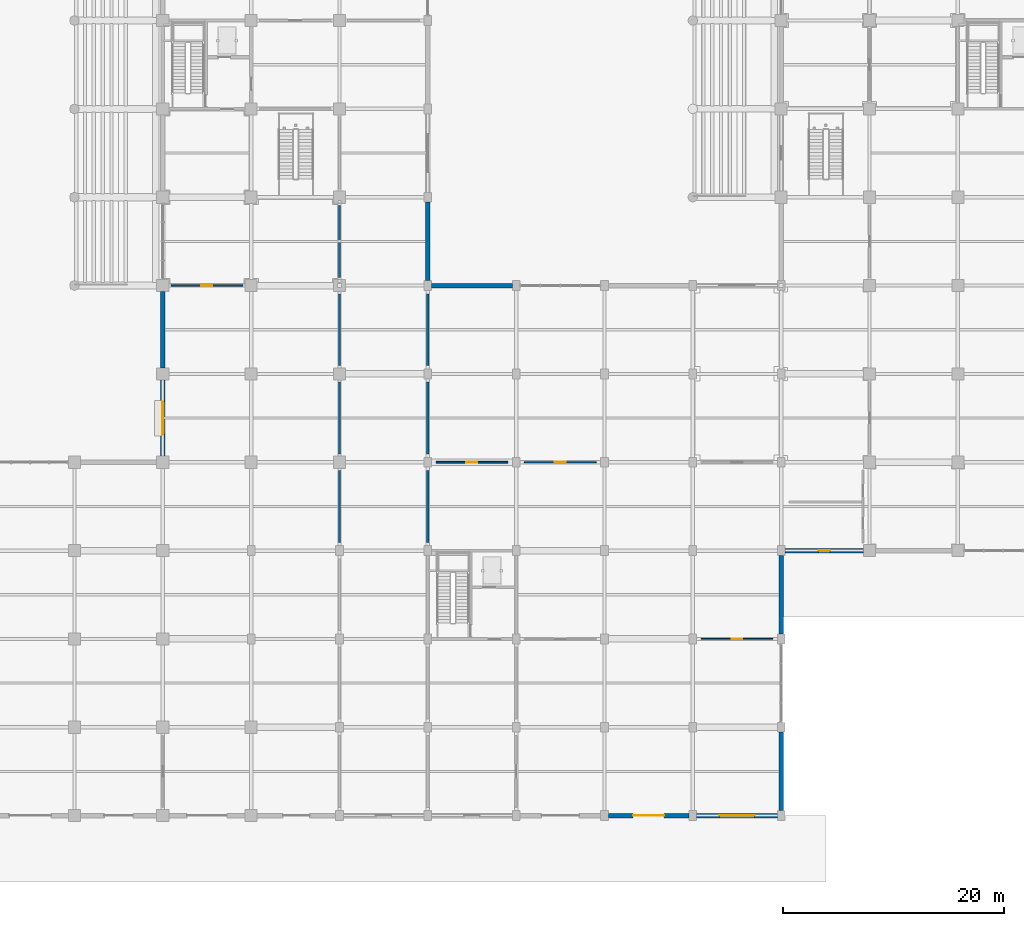
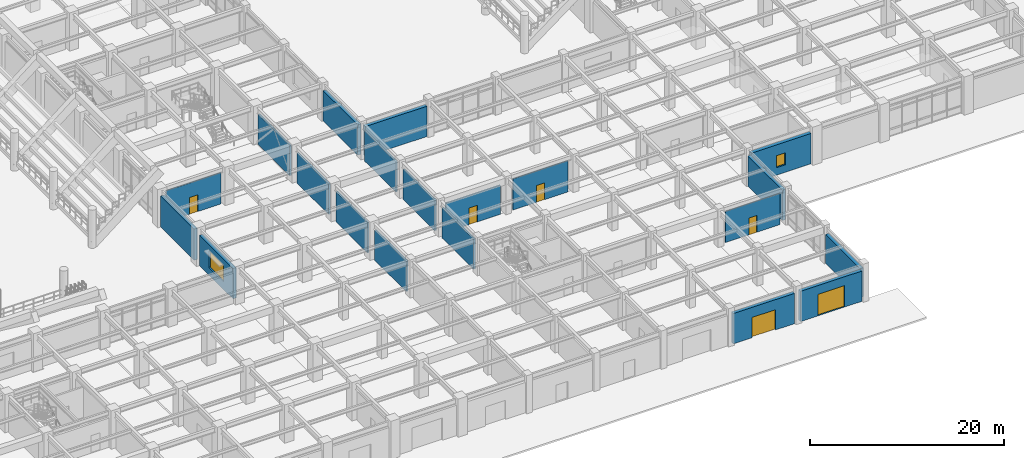
# One storey, part 82 of 125: 20 walls, 6 doors, 2 windows, 8 openings.
"""IFC4 building model written with IfcOpenShell, lengths in metres."""

from ifc_helpers import new_model, si_unit, direction, frame, frame_2d, origin, place, context, subcontext, project, spatial, rectangle, extrude, material, layer, layer_set, type_object, element, fill, save


model = new_model("IFC4")

# Units and contexts
model_context = context("Model", 3, precision=1e-05, world=origin(), true_north=direction((0.0, 1.0)))
body_context = subcontext(model_context, "Body", "Model", "MODEL_VIEW")
ifc_project = project(units=[si_unit("LENGTHUNIT", "METRE"), si_unit("AREAUNIT", "SQUARE_METRE"), si_unit("VOLUMEUNIT", "CUBIC_METRE"), si_unit("PLANEANGLEUNIT", "RADIAN"), si_unit("MASSUNIT", "GRAM", prefix="KILO")], contexts=[model_context])

# Site, building, storey
site_placement = place(None, origin())
site = spatial("IfcSite", under=ifc_project, at=site_placement, CompositionType="ELEMENT")
building_placement = place(site_placement, origin())
building = spatial("IfcBuilding", under=site, at=building_placement, Name="Haebicheon Civic Stadium", CompositionType="ELEMENT")
storey_placement = place(building_placement, origin())
storey = spatial("IfcBuildingStorey", under=building, at=storey_placement, Name="L01", CompositionType="ELEMENT", Elevation=0.0)

# Wall, opening, window
ifc_material_1 = material(Name="Concrete C40/50", Category="concrete")
ifc_layer_1 = layer(ifc_material_1, 0.39990234375, Name="Concrete C40/50")
ifc_layer_set_1 = layer_set([ifc_layer_1], Name="Concrete C40/50")
wall_type_1 = type_object("IfcWallType", Name="EW-BM-400", PredefinedType="SOLIDWALL", material=ifc_layer_set_1)
wall_1_placement = place(storey_placement, frame((144.0, 32.550048828125, 0.0), z_axis=(0.0, 0.0, 1.0), x_axis=(0.0, 1.0, 0.0)))
wall_1 = element("IfcWall", 1, at=wall_1_placement, inside=storey, type_object=wall_type_1, material=ifc_layer_set_1, Name="L01 board-marked concrete facade wall 18-04-W", PredefinedType="SOLIDWALL", context=body_context, shape_type="SweptSolid", body=[
    extrude(rectangle(XDim=6.89990234375, YDim=0.39990234375, at=frame_2d((3.449951171875, 0.0))), origin(), (0.0, 0.0, 1.0), 3.81005859375),
])
opening_1_placement = place(wall_1_placement, frame((1.949951171875, 0.0, 0.949951171875)))
opening_1 = element("IfcOpeningElement", 2, at=opening_1_placement, cuts=wall_1, Name="Opening WIN-300x210", PredefinedType="OPENING", context=body_context, shape_type="SweptSolid", body=[
    extrude(rectangle(XDim=3.0, YDim=2.10009765625, at=frame_2d((1.5, 1.050048828125))), frame((0.0, 0.2099609375, 0.0), z_axis=(0.0, -1.0, 0.0), x_axis=(1.0, 0.0, 0.0)), (0.0, 0.0, 1.0), 0.419921875),
])
ifc_material_2 = material(Name="Anodised aluminium and laminated glass", Category="aluminium")
window_type_1 = type_object("IfcWindowType", Name="WIN-300x210", PartitioningType="SINGLE_PANEL", PredefinedType="WINDOW", material=ifc_material_2)
window_1_placement = place(opening_1_placement, origin())
window_1 = element("IfcWindow", 3, at=window_1_placement, inside=storey, type_object=window_type_1, material=ifc_material_2, Name="L01 facade window 015", OverallHeight=2.10009765625, OverallWidth=3.0, PartitioningType="SINGLE_PANEL", PredefinedType="WINDOW", context=body_context, shape_type="SweptSolid", body=[
    extrude(rectangle(XDim=3.0, YDim=2.10009765625, at=frame_2d((1.5, 1.050048828125))), frame((0.0, 0.030029296875, 0.0), z_axis=(0.0, -1.0, 0.0), x_axis=(1.0, 0.0, 0.0)), (0.0, 0.0, 1.0), 0.06005859375),
])
fill(opening_1, window_1)

# Walls
wall_2_placement = place(storey_placement, frame((144.0, 40.550048828125, 0.0), z_axis=(0.0, 0.0, 1.0), x_axis=(0.0, 1.0, 0.0)))
element("IfcWall", 4, at=wall_2_placement, inside=storey, type_object=wall_type_1, material=ifc_layer_set_1, Name="L01 board-marked concrete facade wall 18-05-W", PredefinedType="SOLIDWALL", context=body_context, shape_type="SweptSolid", body=[
    extrude(rectangle(XDim=6.89990234375, YDim=0.39990234375, at=frame_2d((3.449951171875, 0.0))), origin(), (0.0, 0.0, 1.0), 3.909912109375),
])
wall_3_placement = place(storey_placement, frame((168.0, 48.449951171875, 0.0), z_axis=(0.0, 0.0, 1.0), x_axis=(0.0, 1.0, 0.0)))
element("IfcWall", 5, at=wall_3_placement, inside=storey, type_object=wall_type_1, material=ifc_layer_set_1, Name="L01 board-marked concrete facade wall 21-06-E", PredefinedType="SOLIDWALL", context=body_context, shape_type="SweptSolid", body=[
    extrude(rectangle(XDim=7.10009765625, YDim=0.39990234375, at=frame_2d((3.550048828125, 0.0))), origin(), (0.0, 0.0, 1.0), 3.81005859375),
])
wall_4_placement = place(storey_placement, frame((168.35009765625, 48.0, 0.0), z_axis=(0.0, 0.0, 1.0), x_axis=(1.0, 0.0, 0.0)))
element("IfcWall", 6, at=wall_4_placement, inside=storey, type_object=wall_type_1, material=ifc_layer_set_1, Name="L01 board-marked concrete facade wall 21-06-N", PredefinedType="SOLIDWALL", context=body_context, shape_type="SweptSolid", body=[
    extrude(rectangle(XDim=7.2998046875, YDim=0.39990234375, at=frame_2d((3.64990234375, 0.0))), origin(), (0.0, 0.0, 1.0), 3.81005859375),
])

# Wall, opening, door
wall_5_placement = place(storey_placement, frame((184.35009765625, 0.0, 0.0), z_axis=(0.0, 0.0, 1.0), x_axis=(1.0, 0.0, 0.0)))
wall_5 = element("IfcWall", 7, at=wall_5_placement, inside=storey, type_object=wall_type_1, material=ifc_layer_set_1, Name="L01 board-marked concrete facade wall 23-00-S", PredefinedType="SOLIDWALL", context=body_context, shape_type="SweptSolid", body=[
    extrude(rectangle(XDim=7.2998046875, YDim=0.39990234375, at=frame_2d((3.64990234375, 0.0))), origin(), (0.0, 0.0, 1.0), 3.81005859375),
])
opening_2_placement = place(wall_5_placement, frame((2.25, 0.0, 0.0)))
opening_2 = element("IfcOpeningElement", 8, at=opening_2_placement, cuts=wall_5, Name="Opening G12", PredefinedType="OPENING", context=body_context, shape_type="SweptSolid", body=[
    extrude(rectangle(XDim=2.800048828125, YDim=2.550048828125, at=frame_2d((1.39990234375, 1.27490234375))), frame((0.0, 0.2099609375, 0.0), z_axis=(0.0, -1.0, 0.0), x_axis=(1.0, 0.0, 0.0)), (0.0, 0.0, 1.0), 0.419921875),
])
ifc_material_3 = material(Name="Anodised aluminium 6063-T6", Category="aluminium")
door_type_1 = type_object("IfcDoorType", Name="ED-GATE-2800", OperationType="NOTDEFINED", PredefinedType="DOOR", material=ifc_material_3)
door_1_placement = place(opening_2_placement, origin())
door_1 = element("IfcDoor", 9, at=door_1_placement, inside=storey, type_object=door_type_1, material=ifc_material_3, Name="Pedestrian exit gate G12", OperationType="DOUBLE_SWING_LEFT", OverallHeight=2.550048828125, OverallWidth=2.800048828125, PredefinedType="DOOR", context=body_context, shape_type="SweptSolid", body=[
    extrude(rectangle(XDim=2.800048828125, YDim=2.550048828125, at=frame_2d((1.39990234375, 1.27490234375))), frame((0.0, 0.02490234375, 0.0), z_axis=(0.0, -1.0, 0.0), x_axis=(1.0, 0.0, 0.0)), (0.0, 0.0, 1.0), 0.050048828125),
])
fill(opening_2, door_1)

wall_6_placement = place(storey_placement, frame((192.35009765625, 0.0, 0.0), z_axis=(0.0, 0.0, 1.0), x_axis=(1.0, 0.0, 0.0)))
wall_6 = element("IfcWall", 10, at=wall_6_placement, inside=storey, type_object=wall_type_1, material=ifc_layer_set_1, Name="L01 board-marked concrete facade wall 24-00-S", PredefinedType="SOLIDWALL", context=body_context, shape_type="SweptSolid", body=[
    extrude(rectangle(XDim=7.2998046875, YDim=0.39990234375, at=frame_2d((3.64990234375, 0.0))), origin(), (0.0, 0.0, 1.0), 3.81005859375),
])
opening_3_placement = place(wall_6_placement, frame((2.050048828125, 0.0, 0.0)))
opening_3 = element("IfcOpeningElement", 11, at=opening_3_placement, cuts=wall_6, Name="Opening E11", PredefinedType="OPENING", context=body_context, shape_type="SweptSolid", body=[
    extrude(rectangle(XDim=3.199951171875, YDim=2.699951171875, at=frame_2d((1.60009765625, 1.35009765625))), frame((0.0, 0.2099609375, 0.0), z_axis=(0.0, -1.0, 0.0), x_axis=(1.0, 0.0, 0.0)), (0.0, 0.0, 1.0), 0.419921875),
])
ifc_material_4 = material(Name="Anodised aluminium and laminated glass", Category="aluminium")
door_type_2 = type_object("IfcDoorType", Name="ED-MAIN-3200", OperationType="NOTDEFINED", PredefinedType="DOOR", material=ifc_material_4)
door_2_placement = place(opening_3_placement, origin())
door_2 = element("IfcDoor", 12, at=door_2_placement, inside=storey, type_object=door_type_2, material=ifc_material_4, Name="Main entrance E11", OperationType="DOUBLE_SWING_LEFT", OverallHeight=2.699951171875, OverallWidth=3.199951171875, PredefinedType="DOOR", context=body_context, shape_type="SweptSolid", body=[
    extrude(rectangle(XDim=3.199951171875, YDim=2.699951171875, at=frame_2d((1.60009765625, 1.35009765625))), frame((0.0, 0.02490234375, 0.0), z_axis=(0.0, -1.0, 0.0), x_axis=(1.0, 0.0, 0.0)), (0.0, 0.0, 1.0), 0.050048828125),
])
fill(opening_3, door_2)

# Walls
wall_7_placement = place(storey_placement, frame((200.0, 0.449951171875, 0.0), z_axis=(0.0, 0.0, 1.0), x_axis=(0.0, 1.0, 0.0)))
element("IfcWall", 13, at=wall_7_placement, inside=storey, type_object=wall_type_1, material=ifc_layer_set_1, Name="L01 board-marked concrete facade wall 25-00-E", PredefinedType="SOLIDWALL", context=body_context, shape_type="SweptSolid", body=[
    extrude(rectangle(XDim=7.10009765625, YDim=0.39990234375, at=frame_2d((3.550048828125, 0.0))), origin(), (0.0, 0.0, 1.0), 3.659912109375),
])
wall_8_placement = place(storey_placement, frame((200.0, 16.449951171875, 0.0), z_axis=(0.0, 0.0, 1.0), x_axis=(0.0, 1.0, 0.0)))
element("IfcWall", 14, at=wall_8_placement, inside=storey, type_object=wall_type_1, material=ifc_layer_set_1, Name="L01 board-marked concrete facade wall 25-02-E", PredefinedType="SOLIDWALL", context=body_context, shape_type="SweptSolid", body=[
    extrude(rectangle(XDim=7.10009765625, YDim=0.39990234375, at=frame_2d((3.550048828125, 0.0))), origin(), (0.0, 0.0, 1.0), 3.81005859375),
])

# Wall, opening, window
wall_9_placement = place(storey_placement, frame((200.35009765625, 24.0, 0.0), z_axis=(0.0, 0.0, 1.0), x_axis=(1.0, 0.0, 0.0)))
wall_9 = element("IfcWall", 15, at=wall_9_placement, inside=storey, type_object=wall_type_1, material=ifc_layer_set_1, Name="L01 board-marked concrete facade wall 25-03-S", PredefinedType="SOLIDWALL", context=body_context, shape_type="SweptSolid", body=[
    extrude(rectangle(XDim=7.099853515625, YDim=0.39990234375, at=frame_2d((3.5498046875, 0.0))), origin(), (0.0, 0.0, 1.0), 3.81005859375),
])
opening_4_placement = place(wall_9_placement, frame((3.02490234375, 0.0, 0.949951171875)))
opening_4 = element("IfcOpeningElement", 16, at=opening_4_placement, cuts=wall_9, Name="Opening WIN-105x150", PredefinedType="OPENING", context=body_context, shape_type="SweptSolid", body=[
    extrude(rectangle(XDim=1.050048828125, YDim=1.5, at=frame_2d((0.52490234375, 0.75))), frame((0.0, 0.2099609375, 0.0), z_axis=(0.0, -1.0, 0.0), x_axis=(1.0, 0.0, 0.0)), (0.0, 0.0, 1.0), 0.419921875),
])
ifc_material_5 = material(Name="Anodised aluminium and laminated glass", Category="aluminium")
window_type_2 = type_object("IfcWindowType", Name="WIN-105x150", PartitioningType="SINGLE_PANEL", PredefinedType="WINDOW", material=ifc_material_5)
window_2_placement = place(opening_4_placement, origin())
window_2 = element("IfcWindow", 17, at=window_2_placement, inside=storey, type_object=window_type_2, material=ifc_material_5, Name="L01 facade window 024", OverallHeight=1.5, OverallWidth=1.050048828125, PartitioningType="SINGLE_PANEL", PredefinedType="WINDOW", context=body_context, shape_type="SweptSolid", body=[
    extrude(rectangle(XDim=1.050048828125, YDim=1.5, at=frame_2d((0.52490234375, 0.75))), frame((0.0, 0.030029296875, 0.0), z_axis=(0.0, -1.0, 0.0), x_axis=(1.0, 0.0, 0.0)), (0.0, 0.0, 1.0), 0.06005859375),
])
fill(opening_4, window_2)

# Walls
ifc_material_6 = material(Name="Concrete C35/45", Category="concrete")
ifc_layer_2 = layer(ifc_material_6, 0.199951171875, Name="Concrete C35/45")
ifc_layer_set_2 = layer_set([ifc_layer_2], Name="Concrete C35/45")
wall_type_2 = type_object("IfcWallType", Name="IW-FIR-200", PredefinedType="PARTITIONING", material=ifc_layer_set_2)
for number, where, z_axis, x_axis, name in (
    (18, (160.0, 48.75, 0.0), (0.0, 0.0, 1.0), (0.0, 1.0, 0.0), "L01 braced-frame solid fire wall 20-06"),
    (19, (160.0, 24.75, 0.0), (0.0, 0.0, 1.0), (0.0, 1.0, 0.0), "L01 KC-10 protected exit passage EI 120 wall 08"),
    (20, (168.0, 24.75, 0.0), (0.0, 0.0, 1.0), (0.0, 1.0, 0.0), "L01 KC-10 protected exit passage EI 120 wall 09"),
    (21, (160.0, 32.75, 0.0), (0.0, 0.0, 1.0), (0.0, 1.0, 0.0), "L01 KC-10 protected exit passage EI 120 wall 10"),
    (22, (168.0, 32.75, 0.0), (0.0, 0.0, 1.0), (0.0, 1.0, 0.0), "L01 KC-10 protected exit passage EI 120 wall 11"),
    (23, (160.0, 40.75, 0.0), (0.0, 0.0, 1.0), (0.0, 1.0, 0.0), "L01 KC-10 protected exit passage EI 120 wall 12"),
    (24, (168.0, 40.75, 0.0), (0.0, 0.0, 1.0), (0.0, 1.0, 0.0), "L01 KC-10 protected exit passage EI 120 wall 13"),
):
    element("IfcWall", number, at=place(storey_placement, frame(where, z_axis=z_axis, x_axis=x_axis)), inside=storey, type_object=wall_type_2, material=ifc_layer_set_2, Name=name, PredefinedType="PARTITIONING", context=body_context, shape_type="SweptSolid", body=[
        extrude(rectangle(XDim=6.5, YDim=0.199951171875, at=frame_2d((3.25, 0.0))), origin(), (0.0, 0.0, 1.0), 3.81005859375),
    ])

# Wall, opening, door
ifc_material_7 = material(Name="Anodised aluminium acoustic panel", Category="aluminium")
ifc_layer_3 = layer(ifc_material_7, 0.139892578125, Name="Anodised aluminium acoustic panel")
ifc_layer_set_3 = layer_set([ifc_layer_3], Name="Anodised aluminium acoustic panel")
wall_type_3 = type_object("IfcWallType", Name="IW-MOV-140", PredefinedType="MOVABLE", material=ifc_layer_set_3)
wall_10_placement = place(storey_placement, frame((168.75, 32.0, 0.0), z_axis=(0.0, 0.0, 1.0), x_axis=(1.0, 0.0, 0.0)))
wall_10 = element("IfcWall", 25, at=wall_10_placement, inside=storey, type_object=wall_type_3, material=ifc_layer_set_3, Name="L01 Civic Sports Exhibition Gallery partition wall", PredefinedType="MOVABLE", context=body_context, shape_type="SweptSolid", body=[
    extrude(rectangle(XDim=6.5, YDim=0.139892578125, at=frame_2d((3.25, 0.0))), origin(), (0.0, 0.0, 1.0), 3.659912109375),
])
opening_5_placement = place(wall_10_placement, frame((2.75, 0.0, 0.0)))
opening_5 = element("IfcOpeningElement", 26, at=opening_5_placement, cuts=wall_10, Name="Opening D-L01-154", PredefinedType="OPENING", context=body_context, shape_type="SweptSolid", body=[
    extrude(rectangle(XDim=1.0, YDim=2.10009765625, at=frame_2d((0.5, 1.050048828125))), frame((0.0, 0.079833984375, 0.0), z_axis=(0.0, -1.0, 0.0), x_axis=(1.0, 0.0, 0.0)), (0.0, 0.0, 1.0), 0.159912109375),
])
ifc_material_8 = material(Name="Engineered hardwood timber", Category="wood")
door_type_3 = type_object("IfcDoorType", Name="ID-RM-1000", OperationType="NOTDEFINED", PredefinedType="DOOR", material=ifc_material_8)
door_3_placement = place(opening_5_placement, origin())
door_3 = element("IfcDoor", 27, at=door_3_placement, inside=storey, type_object=door_type_3, material=ifc_material_8, Name="L01 Civic Sports Exhibition Gallery entrance door D-L01-154", OperationType="SINGLE_SWING_LEFT", OverallHeight=2.10009765625, OverallWidth=1.0, PredefinedType="DOOR", context=body_context, shape_type="SweptSolid", body=[
    extrude(rectangle(XDim=1.0, YDim=2.10009765625, at=frame_2d((0.5, 1.050048828125))), frame((0.0, 0.02490234375, 0.0), z_axis=(0.0, -1.0, 0.0), x_axis=(1.0, 0.0, 0.0)), (0.0, 0.0, 1.0), 0.050048828125),
])
fill(opening_5, door_3)

ifc_material_9 = material(Name="Anodised aluminium and laminated glass", Category="aluminium")
ifc_layer_4 = layer(ifc_material_9, 0.10009765625, Name="Anodised aluminium and laminated glass")
ifc_layer_set_4 = layer_set([ifc_layer_4], Name="Anodised aluminium and laminated glass")
wall_type_4 = type_object("IfcWallType", Name="IW-PRT-100", PredefinedType="PARTITIONING", material=ifc_layer_set_4)
wall_11_placement = place(storey_placement, frame((192.75, 16.0, 0.0), z_axis=(0.0, 0.0, 1.0), x_axis=(1.0, 0.0, 0.0)))
wall_11 = element("IfcWall", 28, at=wall_11_placement, inside=storey, type_object=wall_type_4, material=ifc_layer_set_4, Name="L01 Hospitality Welcome Lounge partition wall", PredefinedType="PARTITIONING", context=body_context, shape_type="SweptSolid", body=[
    extrude(rectangle(XDim=6.5, YDim=0.10009765625, at=frame_2d((3.25, 0.0))), origin(), (0.0, 0.0, 1.0), 3.909912109375),
])
opening_6_placement = place(wall_11_placement, frame((2.77490234375, 0.0, 0.0)))
opening_6 = element("IfcOpeningElement", 29, at=opening_6_placement, cuts=wall_11, Name="Opening D-L01-163", PredefinedType="OPENING", context=body_context, shape_type="SweptSolid", body=[
    extrude(rectangle(XDim=0.949951171875, YDim=2.10009765625, at=frame_2d((0.47509765625, 1.050048828125))), frame((0.0, 0.06005859375, 0.0), z_axis=(0.0, -1.0, 0.0), x_axis=(1.0, 0.0, 0.0)), (0.0, 0.0, 1.0), 0.1201171875),
])
ifc_material_10 = material(Name="Engineered hardwood timber", Category="wood")
door_type_4 = type_object("IfcDoorType", Name="ID-RM-0950", OperationType="NOTDEFINED", PredefinedType="DOOR", material=ifc_material_10)
door_4_placement = place(opening_6_placement, origin())
door_4 = element("IfcDoor", 30, at=door_4_placement, inside=storey, type_object=door_type_4, material=ifc_material_10, Name="L01 Hospitality Welcome Lounge entrance door D-L01-163", OperationType="SINGLE_SWING_RIGHT", OverallHeight=2.10009765625, OverallWidth=0.949951171875, PredefinedType="DOOR", context=body_context, shape_type="SweptSolid", body=[
    extrude(rectangle(XDim=0.949951171875, YDim=2.10009765625, at=frame_2d((0.47509765625, 1.050048828125))), frame((0.0, 0.02490234375, 0.0), z_axis=(0.0, -1.0, 0.0), x_axis=(1.0, 0.0, 0.0)), (0.0, 0.0, 1.0), 0.050048828125),
])
fill(opening_6, door_4)

ifc_material_11 = material(Name="Gypsum plasterboard on steel studs", Category="gypsum")
ifc_layer_5 = layer(ifc_material_11, 0.1298828125, Name="Gypsum plasterboard on steel studs")
ifc_layer_set_5 = layer_set([ifc_layer_5], Name="Gypsum plasterboard on steel studs")
wall_type_5 = type_object("IfcWallType", Name="IW-PRT-130", PredefinedType="PARTITIONING", material=ifc_layer_set_5)
wall_12_placement = place(storey_placement, frame((144.75, 48.0, 0.0), z_axis=(0.0, 0.0, 1.0), x_axis=(1.0, 0.0, 0.0)))
wall_12 = element("IfcWall", 31, at=wall_12_placement, inside=storey, type_object=wall_type_5, material=ifc_layer_set_5, Name="L01 Food and Beverage Kiosk partition wall", PredefinedType="PARTITIONING", context=body_context, shape_type="SweptSolid", body=[
    extrude(rectangle(XDim=6.5, YDim=0.1298828125, at=frame_2d((3.25, 0.0))), origin(), (0.0, 0.0, 1.0), 3.909912109375),
])
opening_7_placement = place(wall_12_placement, frame((2.75, 0.0, 0.0)))
opening_7 = element("IfcOpeningElement", 32, at=opening_7_placement, cuts=wall_12, Name="Opening D-L01-136", PredefinedType="OPENING", context=body_context, shape_type="SweptSolid", body=[
    extrude(rectangle(XDim=1.0, YDim=2.10009765625, at=frame_2d((0.5, 1.050048828125))), frame((0.0, 0.074951171875, 0.0), z_axis=(0.0, -1.0, 0.0), x_axis=(1.0, 0.0, 0.0)), (0.0, 0.0, 1.0), 0.14990234375),
])
door_5_placement = place(opening_7_placement, origin())
door_5 = element("IfcDoor", 33, at=door_5_placement, inside=storey, type_object=door_type_3, material=ifc_material_8, Name="L01 Food and Beverage Kiosk entrance door D-L01-136", OperationType="SINGLE_SWING_RIGHT", OverallHeight=2.10009765625, OverallWidth=1.0, PredefinedType="DOOR", context=body_context, shape_type="SweptSolid", body=[
    extrude(rectangle(XDim=1.0, YDim=2.10009765625, at=frame_2d((0.5, 1.050048828125))), frame((0.0, 0.02490234375, 0.0), z_axis=(0.0, -1.0, 0.0), x_axis=(1.0, 0.0, 0.0)), (0.0, 0.0, 1.0), 0.050048828125),
])
fill(opening_7, door_5)

wall_13_placement = place(storey_placement, frame((176.75, 32.0, 0.0), z_axis=(0.0, 0.0, 1.0), x_axis=(1.0, 0.0, 0.0)))
wall_13 = element("IfcWall", 34, at=wall_13_placement, inside=storey, type_object=wall_type_5, material=ifc_layer_set_5, Name="L01 Civic Sports Exhibition Gallery partition wall", PredefinedType="PARTITIONING", context=body_context, shape_type="SweptSolid", body=[
    extrude(rectangle(XDim=6.5, YDim=0.1298828125, at=frame_2d((3.25, 0.0))), origin(), (0.0, 0.0, 1.0), 3.909912109375),
])
opening_8_placement = place(wall_13_placement, frame((2.75, 0.0, 0.0)))
opening_8 = element("IfcOpeningElement", 35, at=opening_8_placement, cuts=wall_13, Name="Opening D-L01-160", PredefinedType="OPENING", context=body_context, shape_type="SweptSolid", body=[
    extrude(rectangle(XDim=1.0, YDim=2.10009765625, at=frame_2d((0.5, 1.050048828125))), frame((0.0, 0.074951171875, 0.0), z_axis=(0.0, -1.0, 0.0), x_axis=(1.0, 0.0, 0.0)), (0.0, 0.0, 1.0), 0.14990234375),
])
door_6_placement = place(opening_8_placement, origin())
door_6 = element("IfcDoor", 36, at=door_6_placement, inside=storey, type_object=door_type_3, material=ifc_material_8, Name="L01 Civic Sports Exhibition Gallery entrance door D-L01-160", OperationType="SINGLE_SWING_LEFT", OverallHeight=2.10009765625, OverallWidth=1.0, PredefinedType="DOOR", context=body_context, shape_type="SweptSolid", body=[
    extrude(rectangle(XDim=1.0, YDim=2.10009765625, at=frame_2d((0.5, 1.050048828125))), frame((0.0, 0.02490234375, 0.0), z_axis=(0.0, -1.0, 0.0), x_axis=(1.0, 0.0, 0.0)), (0.0, 0.0, 1.0), 0.050048828125),
])
fill(opening_8, door_6)

save(model, "model.ifc")
